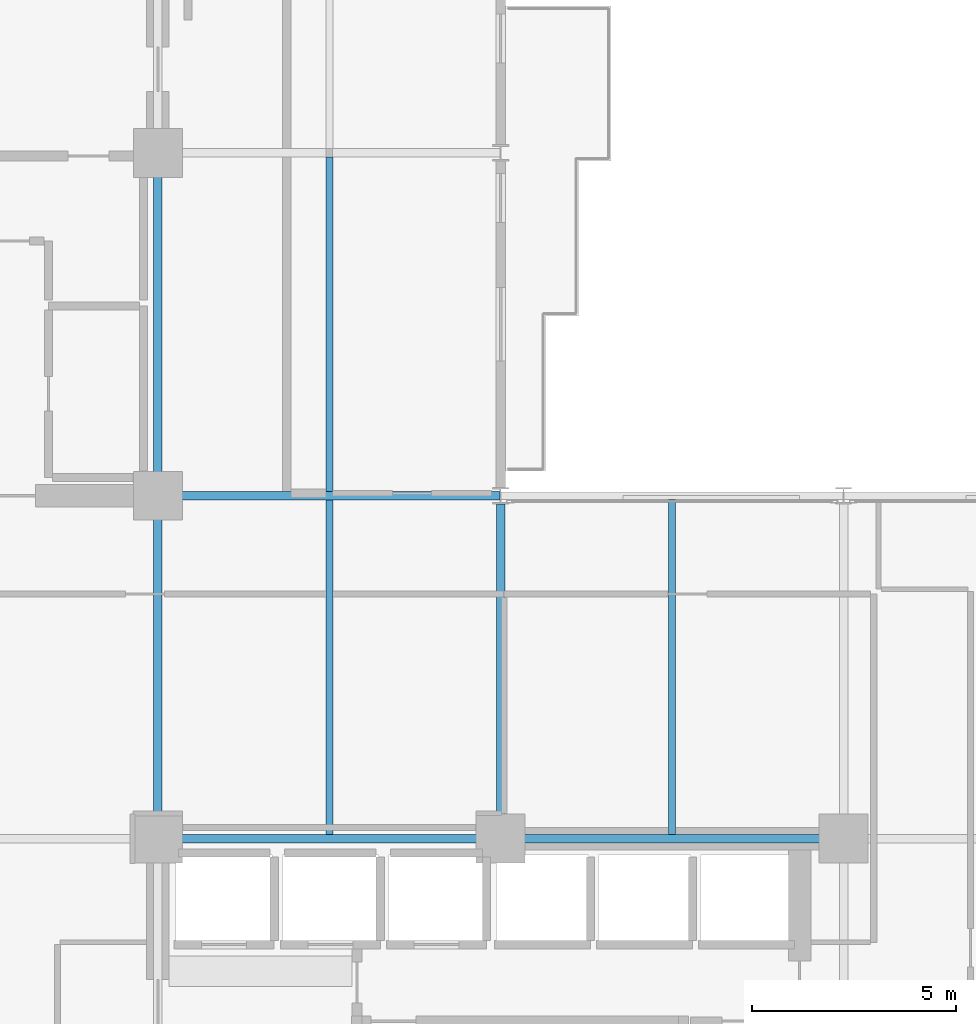
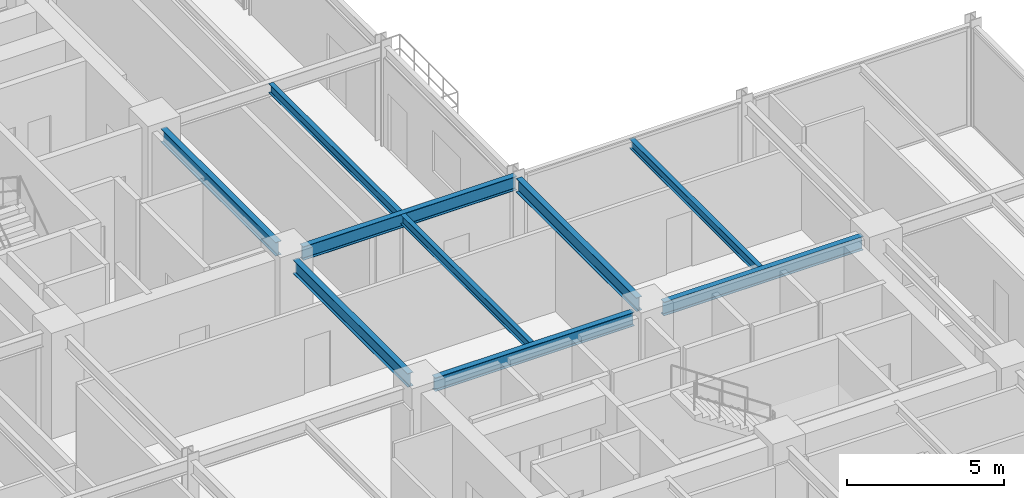
# One storey, part 11 of 29: 9 beams.
"""IFC4 building model written with IfcOpenShell, lengths in metres."""

from ifc_helpers import new_model, si_unit, direction, frame, origin, origin_2d, place, context, subcontext, project, spatial, i_section, extrude, material, material_profile, profile_set, type_object, element, save


model = new_model("IFC4")

# Units and contexts
model_context = context("Model", 3, precision=1e-05, world=origin(), true_north=direction((0.0, 1.0)))
body_context = subcontext(model_context, "Body", "Model", "MODEL_VIEW")
ifc_project = project(units=[si_unit("LENGTHUNIT", "METRE"), si_unit("AREAUNIT", "SQUARE_METRE"), si_unit("VOLUMEUNIT", "CUBIC_METRE"), si_unit("PLANEANGLEUNIT", "RADIAN"), si_unit("MASSUNIT", "GRAM", prefix="KILO")], contexts=[model_context])

# Site, building, storey
site_placement = place(None, origin())
site = spatial("IfcSite", under=ifc_project, at=site_placement, CompositionType="ELEMENT")
building_placement = place(site_placement, origin())
building = spatial("IfcBuilding", under=site, at=building_placement, Name="Nerrivon Quay Data Exchange", CompositionType="ELEMENT")
storey_placement = place(building_placement, frame((0.0, 0.0, 125.39990234375)))
storey = spatial("IfcBuildingStorey", under=building, at=storey_placement, Name="L29", CompositionType="ELEMENT", Elevation=125.39990234375)

# Beams
ifc_material = material(Name="Steel Grade 350", Category="steel")
ifc_material_profile_1 = material_profile(ifc_material, i_section(OverallWidth=0.208984375, OverallDepth=0.532958984375, WebThickness=0.01025390625, FlangeThickness=0.015625, FilletRadius=0.013916015625, at=origin_2d()), Name="530UB92.4")
ifc_profile_set_1 = profile_set([ifc_material_profile_1], Name="Steel Grade 350")
beam_type_1 = type_object("IfcBeamType", Name="BM-G3-530UB92", PredefinedType="BEAM", material=ifc_profile_set_1)
beam_1_placement = place(storey_placement, frame((17.340087890625, 16.800048828125, 3.55859375), z_axis=(1.0, 0.0, 0.0), x_axis=(0.0, 1.0, 0.0)))
element("IfcBeam", 1, at=beam_1_placement, inside=storey, type_object=beam_type_1, Name="L29 EW Girder Y=16.8 (16.8..25.2)", PredefinedType="BEAM", context=body_context, shape_type="SweptSolid", body=[
    extrude(i_section(OverallWidth=0.208984375, OverallDepth=0.532958984375, WebThickness=0.01025390625, FlangeThickness=0.015625, FilletRadius=0.013916015625, at=origin_2d()), origin(), (0.0, 0.0, 1.0), 7.31982421875),
])
beam_2_placement = place(storey_placement, frame((25.739990234375, 16.800048828125, 3.55859375), z_axis=(1.0, 0.0, 0.0), x_axis=(0.0, 1.0, 0.0)))
element("IfcBeam", 2, at=beam_2_placement, inside=storey, type_object=beam_type_1, Name="L29 EW Girder Y=16.8 (25.2..33.6)", PredefinedType="BEAM", context=body_context, shape_type="SweptSolid", body=[
    extrude(i_section(OverallWidth=0.208984375, OverallDepth=0.532958984375, WebThickness=0.01025390625, FlangeThickness=0.015625, FilletRadius=0.013916015625, at=origin_2d()), origin(), (0.0, 0.0, 1.0), 7.320068359375),
])
beam_3_placement = place(storey_placement, frame((17.340087890625, 25.199951171875, 3.55859375), z_axis=(1.0, 0.0, 0.0), x_axis=(0.0, 1.0, 0.0)))
element("IfcBeam", 3, at=beam_3_placement, inside=storey, type_object=beam_type_1, Name="L29 EW Girder Y=25.2 (16.8..25.2)", PredefinedType="BEAM", context=body_context, shape_type="SweptSolid", body=[
    extrude(i_section(OverallWidth=0.208984375, OverallDepth=0.532958984375, WebThickness=0.01025390625, FlangeThickness=0.015625, FilletRadius=0.013916015625, at=origin_2d()), origin(), (0.0, 0.0, 1.0), 7.847412109375),
])
ifc_material_profile_2 = material_profile(ifc_material, i_section(OverallWidth=0.208984375, OverallDepth=0.528076171875, WebThickness=0.009521484375, FlangeThickness=0.01318359375, FilletRadius=0.013916015625, at=origin_2d()), Name="530UB82.0")
ifc_profile_set_2 = profile_set([ifc_material_profile_2], Name="Steel Grade 350")
beam_type_2 = type_object("IfcBeamType", Name="BM-G4-530UB82", PredefinedType="BEAM", material=ifc_profile_set_2)
beam_4_placement = place(storey_placement, frame((16.800048828125, 17.340087890625, 3.56103515625), z_axis=(0.0, 1.0, 0.0), x_axis=(-1.0, 0.0, 0.0)))
element("IfcBeam", 4, at=beam_4_placement, inside=storey, type_object=beam_type_2, Name="L29 NS Girder X=16.8 (16.8..25.2)", PredefinedType="BEAM", context=body_context, shape_type="SweptSolid", body=[
    extrude(i_section(OverallWidth=0.208984375, OverallDepth=0.528076171875, WebThickness=0.009521484375, FlangeThickness=0.01318359375, FilletRadius=0.013916015625, at=origin_2d()), origin(), (0.0, 0.0, 1.0), 7.31982421875),
])
beam_5_placement = place(storey_placement, frame((16.800048828125, 25.739990234375, 3.56103515625), z_axis=(0.0, 1.0, 0.0), x_axis=(-1.0, 0.0, 0.0)))
element("IfcBeam", 5, at=beam_5_placement, inside=storey, type_object=beam_type_2, Name="L29 NS Girder X=16.8 (25.2..33.6)", PredefinedType="BEAM", context=body_context, shape_type="SweptSolid", body=[
    extrude(i_section(OverallWidth=0.208984375, OverallDepth=0.528076171875, WebThickness=0.009521484375, FlangeThickness=0.01318359375, FilletRadius=0.013916015625, at=origin_2d()), origin(), (0.0, 0.0, 1.0), 7.320068359375),
])
beam_6_placement = place(storey_placement, frame((25.199951171875, 17.340087890625, 3.56103515625), z_axis=(0.0, 1.0, 0.0), x_axis=(-1.0, 0.0, 0.0)))
element("IfcBeam", 6, at=beam_6_placement, inside=storey, type_object=beam_type_2, Name="L29 NS Girder X=25.2 (16.8..25.2)", PredefinedType="BEAM", context=body_context, shape_type="SweptSolid", body=[
    extrude(i_section(OverallWidth=0.208984375, OverallDepth=0.528076171875, WebThickness=0.009521484375, FlangeThickness=0.01318359375, FilletRadius=0.013916015625, at=origin_2d()), origin(), (0.0, 0.0, 1.0), 7.659912109375),
])
ifc_material_profile_3 = material_profile(ifc_material, i_section(OverallWidth=0.1708984375, OverallDepth=0.35595703125, WebThickness=0.00732421875, FlangeThickness=0.011474609375, FilletRadius=0.011474609375, at=origin_2d()), Name="360UB50.7")
ifc_profile_set_3 = profile_set([ifc_material_profile_3], Name="Steel Grade 350")
beam_type_3 = type_object("IfcBeamType", Name="BM-J4-360UB51", PredefinedType="JOIST", material=ifc_profile_set_3)
beam_7_placement = place(storey_placement, frame((21.0, 16.904541015625, 3.647216796875), z_axis=(0.0, 1.0, 0.0), x_axis=(-1.0, 0.0, 0.0)))
element("IfcBeam", 7, at=beam_7_placement, inside=storey, type_object=beam_type_3, Name="L29 Secondary Joist X=21.0 (16.8..25.2)", PredefinedType="JOIST", context=body_context, shape_type="SweptSolid", body=[
    extrude(i_section(OverallWidth=0.1708984375, OverallDepth=0.35595703125, WebThickness=0.00732421875, FlangeThickness=0.011474609375, FilletRadius=0.011474609375, at=origin_2d()), origin(), (0.0, 0.0, 1.0), 8.19091796875),
])
beam_8_placement = place(storey_placement, frame((21.0, 25.304443359375, 3.647216796875), z_axis=(0.0, 1.0, 0.0), x_axis=(-1.0, 0.0, 0.0)))
element("IfcBeam", 8, at=beam_8_placement, inside=storey, type_object=beam_type_3, Name="L29 Secondary Joist X=21.0 (25.2..33.6)", PredefinedType="JOIST", context=body_context, shape_type="SweptSolid", body=[
    extrude(i_section(OverallWidth=0.1708984375, OverallDepth=0.35595703125, WebThickness=0.00732421875, FlangeThickness=0.011474609375, FilletRadius=0.011474609375, at=origin_2d()), origin(), (0.0, 0.0, 1.0), 8.191162109375),
])
beam_9_placement = place(storey_placement, frame((29.39990234375, 16.904541015625, 3.647216796875), z_axis=(0.0, 1.0, 0.0), x_axis=(-1.0, 0.0, 0.0)))
element("IfcBeam", 9, at=beam_9_placement, inside=storey, type_object=beam_type_3, Name="L29 Secondary Joist X=29.4 (16.8..25.2)", PredefinedType="JOIST", context=body_context, shape_type="SweptSolid", body=[
    extrude(i_section(OverallWidth=0.1708984375, OverallDepth=0.35595703125, WebThickness=0.00732421875, FlangeThickness=0.011474609375, FilletRadius=0.011474609375, at=origin_2d()), origin(), (0.0, 0.0, 1.0), 8.20654296875),
])

save(model, "model.ifc")
